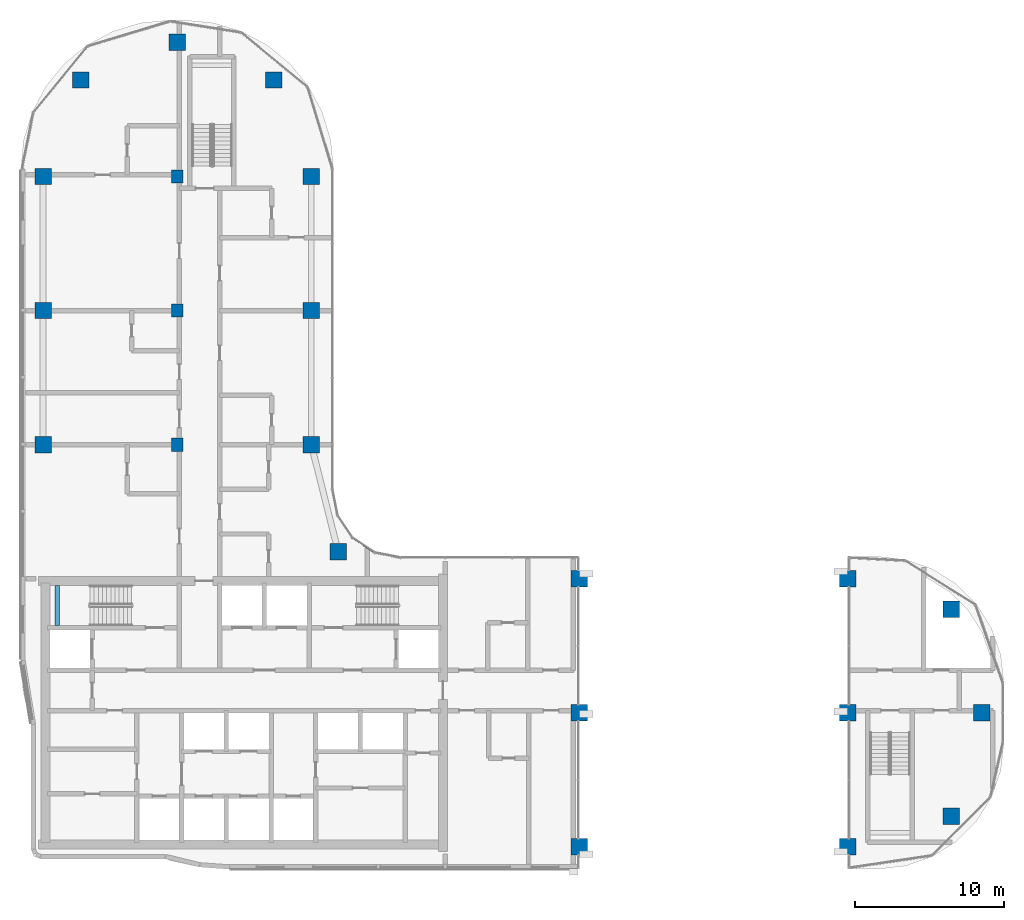
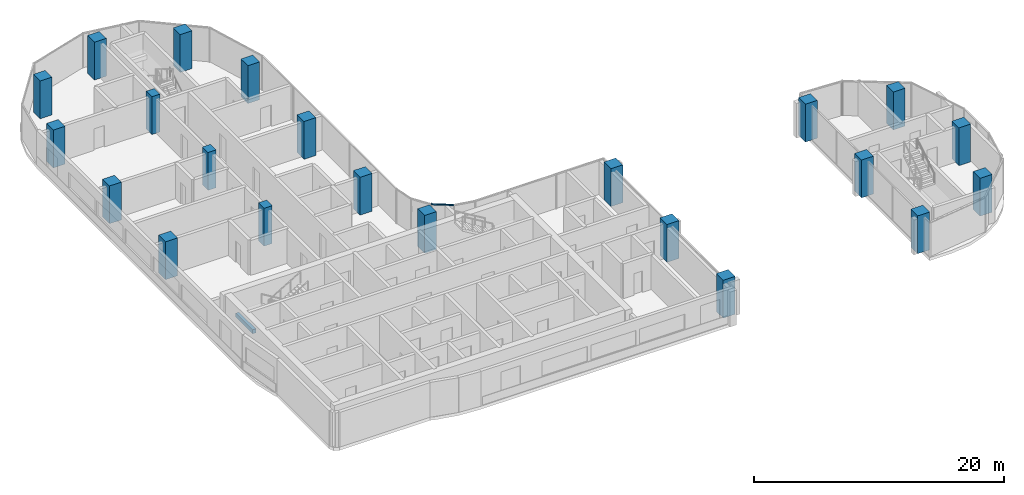
# One storey, part 1 of 23: 22 columns, 1 beam, 1 member, 1 element without a shape of its own.
"""IFC4 building model written with IfcOpenShell, lengths in metres."""

import ifcopenshell
import ifcopenshell.guid

model = None  # the IFC model being written
_history = None  # IfcOwnerHistory: only IFC2X3 demands one
_inside = {}  # id of a spatial element -> (the spatial element, [elements in it])
_under = {}  # id of a project, library or spatial element -> (it, [spatial elements below it])
_declared = {}  # id of a project -> (the project, [libraries it declares])
_typed = {}  # id of a type object -> (the type object, [elements of that type])
_made_of = {}  # id of a material, layer set ... -> (it, [elements and type objects made of it])


def new_model(schema):
    """Start an empty IFC model of exactly this schema.

    Asked for "IFC4X3", IfcOpenShell would pick the latest addendum, in which some entities
    have other attributes; the version numbers below select the first issue.
    IFC2X3 requires an IfcOwnerHistory on every rooted entity: one is made here for all.
    """
    global model, _history
    if schema == "IFC4X3":
        model = ifcopenshell.file(schema_version=(4, 3, 0, 0))
    else:
        model = ifcopenshell.file(schema=schema)
    _inside.clear()
    _under.clear()
    _declared.clear()
    _typed.clear()
    _made_of.clear()
    _history = None
    if model.schema == "IFC2X3":
        org = make("IfcOrganization", Name="unknown")
        user = make(
            "IfcPersonAndOrganization",
            ThePerson=make("IfcPerson", FamilyName="unknown"),
            TheOrganization=org,
        )
        app = make(
            "IfcApplication",
            ApplicationDeveloper=org,
            Version="unknown",
            ApplicationFullName="unknown",
            ApplicationIdentifier="unknown",
        )
        _history = make(
            "IfcOwnerHistory",
            OwningUser=user,
            OwningApplication=app,
            ChangeAction="ADDED",
            CreationDate=0,
        )
    return model


def make(cls, **values):
    """One entity of the class cls with the attributes given. An attribute that is None is left unset."""
    return model.create_entity(
        cls, **{name: value for name, value in values.items() if value is not None}
    )


def rooted(cls, **values):
    """An entity with a GlobalId (a new one), such as an element, a storey or a relation."""
    return make(cls, GlobalId=ifcopenshell.guid.new(), OwnerHistory=_history, **values)


def si_unit(unit_type, name, prefix=None):
    """IfcSIUnit, for example si_unit("LENGTHUNIT", "METRE", prefix="MILLI")."""
    return make("IfcSIUnit", UnitType=unit_type, Prefix=prefix, Name=name)


def assignment(units):
    """IfcUnitAssignment: the units of a project."""
    return None if units is None else make("IfcUnitAssignment", Units=units)


def point(xyz):
    """IfcCartesianPoint."""
    return None if xyz is None else make("IfcCartesianPoint", Coordinates=xyz)


def direction(xyz):
    """IfcDirection."""
    return None if xyz is None else make("IfcDirection", DirectionRatios=xyz)


def frame(location, z_axis=None, x_axis=None):
    """IfcAxis2Placement3D, a coordinate frame: its origin and axes. An axis left out is left unset."""
    return make(
        "IfcAxis2Placement3D",
        Location=point(location),
        Axis=direction(z_axis),
        RefDirection=direction(x_axis),
    )


def frame_2d(location, x_axis=None):
    """IfcAxis2Placement2D, a coordinate frame in the plane: its origin and x axis."""
    return make(
        "IfcAxis2Placement2D", Location=point(location), RefDirection=direction(x_axis)
    )


def origin():
    """The frame at (0, 0, 0) with its axes left unset."""
    return frame((0.0, 0.0, 0.0))


def origin_2d():
    """The frame at (0, 0) in the plane with its x axis left unset."""
    return frame_2d((0.0, 0.0))


def place(relative_to, where):
    """IfcLocalPlacement: puts the frame where relative to a parent placement (None: the world)."""
    return make(
        "IfcLocalPlacement", PlacementRelTo=relative_to, RelativePlacement=where
    )


def context(
    kind, dimensions, precision=None, world=None, true_north=None, identifier=None
):
    """IfcGeometricRepresentationContext, for example the 3D "Model" context."""
    return make(
        "IfcGeometricRepresentationContext",
        ContextIdentifier=identifier,
        ContextType=kind,
        CoordinateSpaceDimension=dimensions,
        Precision=precision,
        WorldCoordinateSystem=world,
        TrueNorth=true_north,
    )


def subcontext(parent, identifier, kind, view, scale=None):
    """IfcGeometricRepresentationSubContext, for example "Body" below "Model"."""
    return make(
        "IfcGeometricRepresentationSubContext",
        ContextIdentifier=identifier,
        ContextType=kind,
        ParentContext=parent,
        TargetScale=scale,
        TargetView=view,
    )


def project(units=None, contexts=None):
    """IfcProject with its units and contexts."""
    return rooted(
        "IfcProject",
        Name="project",
        RepresentationContexts=contexts,
        UnitsInContext=assignment(units),
    )


def spatial(cls, under=None, at=None, **own):
    """A site, building, storey or space (cls), placed at a placement, below another one or the project."""
    s = rooted(cls, ObjectPlacement=at, **own)
    if under is not None:
        _under.setdefault(under.id(), (under, []))[1].append(s)
    return s


def profile(cls, at=None, kind="AREA", **sizes):
    """A parametric profile (cls). Its sizes go by their IFC names, for example OverallWidth=200.0."""
    return make(cls, ProfileType=kind, Position=at, **sizes)


def rectangle(**sizes):
    """IfcRectangleProfileDef."""
    return profile("IfcRectangleProfileDef", **sizes)


def extrude(swept, where, along, depth):
    """IfcExtrudedAreaSolid: the profile swept, set in the frame where, extruded along a direction by depth."""
    return make(
        "IfcExtrudedAreaSolid",
        SweptArea=swept,
        Position=where,
        ExtrudedDirection=direction(along),
        Depth=depth,
    )


def shape(context_of_items, identifier, shape_type, items):
    """IfcShapeRepresentation: the items that make up one representation, for example the "Body"."""
    return make(
        "IfcShapeRepresentation",
        ContextOfItems=context_of_items,
        RepresentationIdentifier=identifier,
        RepresentationType=shape_type,
        Items=items,
    )


def material(Name=None, Category=None):
    """IfcMaterial."""
    return make("IfcMaterial", Name=Name, Category=Category)


def material_profile(
    of_material, cross_section, Name=None, Category=None, Priority=None
):
    """IfcMaterialProfile: a cross section and its material."""
    return make(
        "IfcMaterialProfile",
        Name=Name,
        Material=of_material,
        Profile=cross_section,
        Priority=Priority,
        Category=Category,
    )


def profile_set(profiles, Name=None, composite=None):
    """IfcMaterialProfileSet."""
    return make(
        "IfcMaterialProfileSet",
        Name=Name,
        MaterialProfiles=profiles,
        CompositeProfile=composite,
    )


def made_of(thing, what):
    """Note that an element or type object is made of a material, layer set ...; save() writes the relation."""
    if what is not None:
        _made_of.setdefault(what.id(), (what, []))[1].append(thing)
    return thing


def type_object(cls, material=None, **own):
    """A type object (cls), such as IfcWallType, which elements share."""
    return made_of(rooted(cls, **own), material)


def element(
    cls,
    number,
    at=None,
    inside=None,
    cuts=None,
    type_object=None,
    material=None,
    context=None,
    identifier="Body",
    shape_type=None,
    held_by="IfcProductDefinitionShape",
    body=None,
    shapes=None,
    **own,
):
    """One element of the class cls, such as IfcWall. Its Tag is "e" and its number.

    at: its placement. inside: the storey or other place that contains it. cuts: it is an
    opening in that element (IfcRelVoidsElement). A single representation is given by context,
    identifier, shape_type and body (its items); several are given by shapes. held_by: the class
    of the entity that holds the representations. save() writes the other relations.
    """
    e = rooted(cls, Tag="e%d" % number, ObjectPlacement=at, **own)
    if body is not None:
        shapes = [shape(context, identifier, shape_type, body)]
    if shapes is not None:
        e.Representation = make(held_by, Representations=shapes)
    if inside is not None:
        _inside.setdefault(inside.id(), (inside, []))[1].append(e)
    if cuts is not None:
        rooted(
            "IfcRelVoidsElement", RelatingBuildingElement=cuts, RelatedOpeningElement=e
        )
    if type_object is not None:
        _typed.setdefault(type_object.id(), (type_object, []))[1].append(e)
    return made_of(e, material)


def aggregate(whole, parts):
    """IfcRelAggregates: a whole, such as a stair, and the parts it consists of."""
    return rooted("IfcRelAggregates", RelatingObject=whole, RelatedObjects=parts)


def save(model, path):
    """Write the relations noted so far, then the file.

    IfcRelAggregates (storeys below a building ...), IfcRelContainedInSpatialStructure (elements
    in a storey), IfcRelDefinesByType, IfcRelAssociatesMaterial and IfcRelDeclares: one each for
    every whole, place, type object, material and project.
    """
    for whole, parts in _under.values():
        aggregate(whole, parts)
    for where, things in _inside.values():
        rooted(
            "IfcRelContainedInSpatialStructure",
            RelatedElements=things,
            RelatingStructure=where,
        )
    for kind, things in _typed.values():
        rooted("IfcRelDefinesByType", RelatedObjects=things, RelatingType=kind)
    for what, things in _made_of.values():
        rooted("IfcRelAssociatesMaterial", RelatedObjects=things, RelatingMaterial=what)
    for by, libraries in _declared.values():
        rooted("IfcRelDeclares", RelatingContext=by, RelatedDefinitions=libraries)
    model.write(path)


model = new_model("IFC4")

# Units and contexts
model_context = context("Model", 3, precision=1e-05, world=origin(), true_north=direction((0.0, 1.0)))
body_context = subcontext(model_context, "Body", "Model", "MODEL_VIEW")
ifc_project = project(units=[si_unit("LENGTHUNIT", "METRE"), si_unit("AREAUNIT", "SQUARE_METRE"), si_unit("VOLUMEUNIT", "CUBIC_METRE"), si_unit("PLANEANGLEUNIT", "RADIAN"), si_unit("MASSUNIT", "GRAM", prefix="KILO")], contexts=[model_context])

# Site, building, storey
site_placement = place(None, origin())
site = spatial("IfcSite", under=ifc_project, at=site_placement, CompositionType="ELEMENT")
building_placement = place(site_placement, origin())
building = spatial("IfcBuilding", under=site, at=building_placement, Name="Ogive Portal Towers", CompositionType="ELEMENT")
storey_placement = place(building_placement, frame((0.0, 0.0, 149.60009765625)))
storey = spatial("IfcBuildingStorey", under=building, at=storey_placement, Name="L36", CompositionType="ELEMENT", Elevation=149.60009765625)

# Columns
ifc_material_1 = material(Name="Concrete C60/75", Category="concrete")
ifc_material_profile_1 = material_profile(ifc_material_1, rectangle(XDim=1.10009765625, YDim=1.10009765625, at=origin_2d()), Name="RC 1100x1100")
ifc_profile_set_1 = profile_set([ifc_material_profile_1], Name="Concrete C60/75")
column_type_1 = type_object("IfcColumnType", Name="COLUMN RC 1100x1100", PredefinedType="COLUMN", material=ifc_profile_set_1)
for number, where, z_axis, x_axis, name in (
    (1, (67.5, 21.5, 0.0), (0.0, 0.0, 1.0), (1.0, 0.0, 0.0), "Column 5/A L36"),
    (2, (85.5, 21.5, 0.0), (0.0, 0.0, 1.0), (1.0, 0.0, 0.0), "Column 7/A L36"),
    (3, (92.449951171875, 23.550048828125, 0.0), (0.0, 0.0, 1.0), (1.0, 0.0, 0.0), "Column L36"),
    (4, (67.5, 30.5, 0.0), (0.0, 0.0, 1.0), (1.0, 0.0, 0.0), "Column 5/B L36"),
    (5, (85.5, 30.5, 0.0), (0.0, 0.0, 1.0), (1.0, 0.0, 0.0), "Column 7/B L36"),
    (6, (94.5, 30.5, 0.0), (0.0, 0.0, 1.0), (1.0, 0.0, 0.0), "Column 8/B L36"),
    (7, (92.449951171875, 37.449951171875, 0.0), (0.0, 0.0, 1.0), (1.0, 0.0, 0.0), "Column L36"),
    (8, (67.5, 39.5, 0.0), (0.0, 0.0, 1.0), (1.0, 0.0, 0.0), "Column 5/C L36"),
    (9, (85.5, 39.5, 0.0), (0.0, 0.0, 1.0), (1.0, 0.0, 0.0), "Column 7/C L36"),
    (10, (51.31005859375, 41.31005859375, 0.0), (0.0, 0.0, 1.0), (1.0, 0.0, 0.0), "Column L36"),
    (11, (31.5, 48.5, 0.0), (0.0, 0.0, 1.0), (1.0, 0.0, 0.0), "Column 1/D L36"),
    (12, (49.5, 48.5, 0.0), (0.0, 0.0, 1.0), (1.0, 0.0, 0.0), "Column 3/D L36"),
    (13, (31.5, 57.5, 0.0), (0.0, 0.0, 1.0), (1.0, 0.0, 0.0), "Column 1/E L36"),
    (14, (49.5, 57.5, 0.0), (0.0, 0.0, 1.0), (1.0, 0.0, 0.0), "Column 3/E L36"),
    (15, (31.5, 66.5, 0.0), (0.0, 0.0, 1.0), (1.0, 0.0, 0.0), "Column 1/F L36"),
    (16, (49.5, 66.5, 0.0), (0.0, 0.0, 1.0), (1.0, 0.0, 0.0), "Column 3/F L36"),
    (17, (34.027099609375, 72.972900390625, 0.0), (0.0, 0.0, 1.0), (1.0, 0.0, 0.0), "Column L36"),
    (18, (46.972900390625, 72.972900390625, 0.0), (0.0, 0.0, 1.0), (1.0, 0.0, 0.0), "Column L36"),
    (19, (40.5, 75.5, 0.0), (0.0, 0.0, 1.0), (1.0, 0.0, 0.0), "Column 2/G L36"),
):
    element("IfcColumn", number, at=place(storey_placement, frame(where, z_axis=z_axis, x_axis=x_axis)), inside=storey, type_object=column_type_1, Name=name, PredefinedType="COLUMN", context=body_context, shape_type="SweptSolid", body=[
        extrude(rectangle(XDim=1.10009765625, YDim=1.10009765625, at=origin_2d()), origin(), (0.0, 0.0, 1.0), 3.699951171875),
    ])
ifc_material_profile_2 = material_profile(ifc_material_1, rectangle(XDim=0.89990234375, YDim=0.75, at=origin_2d()), Name="RC 900x750")
ifc_profile_set_2 = profile_set([ifc_material_profile_2], Name="Concrete C60/75")
column_type_2 = type_object("IfcColumnType", Name="COLUMN RC 900x750", PredefinedType="COLUMN", material=ifc_profile_set_2)
for number, where, z_axis, x_axis, name in (
    (20, (40.5, 48.5, 0.0), (0.0, 0.0, 1.0), (0.0, 1.0, 0.0), "Column 2/D L36"),
    (21, (40.5, 57.5, 0.0), (0.0, 0.0, 1.0), (0.0, 1.0, 0.0), "Column 2/E L36"),
    (22, (40.5, 66.5, 0.0), (0.0, 0.0, 1.0), (0.0, 1.0, 0.0), "Column 2/F L36"),
):
    element("IfcColumn", number, at=place(storey_placement, frame(where, z_axis=z_axis, x_axis=x_axis)), inside=storey, type_object=column_type_2, Name=name, PredefinedType="COLUMN", context=body_context, shape_type="SweptSolid", body=[
        extrude(rectangle(XDim=0.89990234375, YDim=0.75, at=origin_2d()), origin(), (0.0, 0.0, 1.0), 3.699951171875),
    ])

# Beam
ifc_material_2 = material(Name="Concrete C40/50", Category="concrete")
ifc_material_profile_3 = material_profile(ifc_material_2, rectangle(XDim=0.300048828125, YDim=0.39990234375, at=origin_2d()), Name="RC 300x400")
ifc_profile_set_3 = profile_set([ifc_material_profile_3], Name="Concrete C40/50")
beam_type = type_object("IfcBeamType", Name="BEAM RC 300x400", PredefinedType="BEAM", material=ifc_profile_set_3)
beam_placement = place(storey_placement, frame((32.449951171875, 36.35009765625, 1.449951171875), z_axis=(0.0, 1.0, 0.0), x_axis=(-1.0, 0.0, 0.0)))
element("IfcBeam", 23, at=beam_placement, inside=storey, type_object=beam_type, Name="Landing beam L36", PredefinedType="BEAM", context=body_context, shape_type="SweptSolid", body=[
    extrude(rectangle(XDim=0.300048828125, YDim=0.39990234375, at=origin_2d()), origin(), (0.0, 0.0, 1.0), 2.699951171875),
])

# Curtain wall, member
ifc_material_3 = material(Name="Glass, clear low-iron insulated glazing", Category="glass")
curtain_wall_type = type_object("IfcCurtainWallType", Name="CW FRONT RIBBON 4500", PredefinedType="NOTDEFINED", material=ifc_material_3)
curtain_wall_placement = place(storey_placement, origin())
curtain_wall = element("IfcCurtainWall", 24, at=curtain_wall_placement, inside=storey, type_object=curtain_wall_type, Name="A:L36:f09:cwa", PredefinedType="NOTDEFINED")
ifc_material_4 = material(Name="Aluminium 6063 anodised", Category="aluminium")
ifc_material_profile_4 = material_profile(ifc_material_4, rectangle(XDim=0.1201171875, YDim=0.06005859375, at=origin_2d()), Name="AL 120x60")
ifc_profile_set_4 = profile_set([ifc_material_profile_4], Name="Aluminium 6063 anodised")
member_type = type_object("IfcMemberType", Name="CW TRANSOM 60x120", PredefinedType="USERDEFINED", material=ifc_profile_set_4)
member_placement = place(storey_placement, frame((53.746826171875, 41.26708984375, 3.369873046875), z_axis=(-0.831503657605, 0.555519277244, 0.0), x_axis=(-0.555519277244, -0.831503657605, 0.0)))
member = element("IfcMember", 25, at=member_placement, type_object=member_type, Name="transom", ObjectType="TRANSOM", PredefinedType="USERDEFINED", context=body_context, shape_type="SweptSolid", body=[
    extrude(rectangle(XDim=0.1201171875, YDim=0.06005859375, at=origin_2d()), origin(), (0.0, 0.0, 1.0), 1.787841796875),
])
aggregate(curtain_wall, [member])

save(model, "model.ifc")
